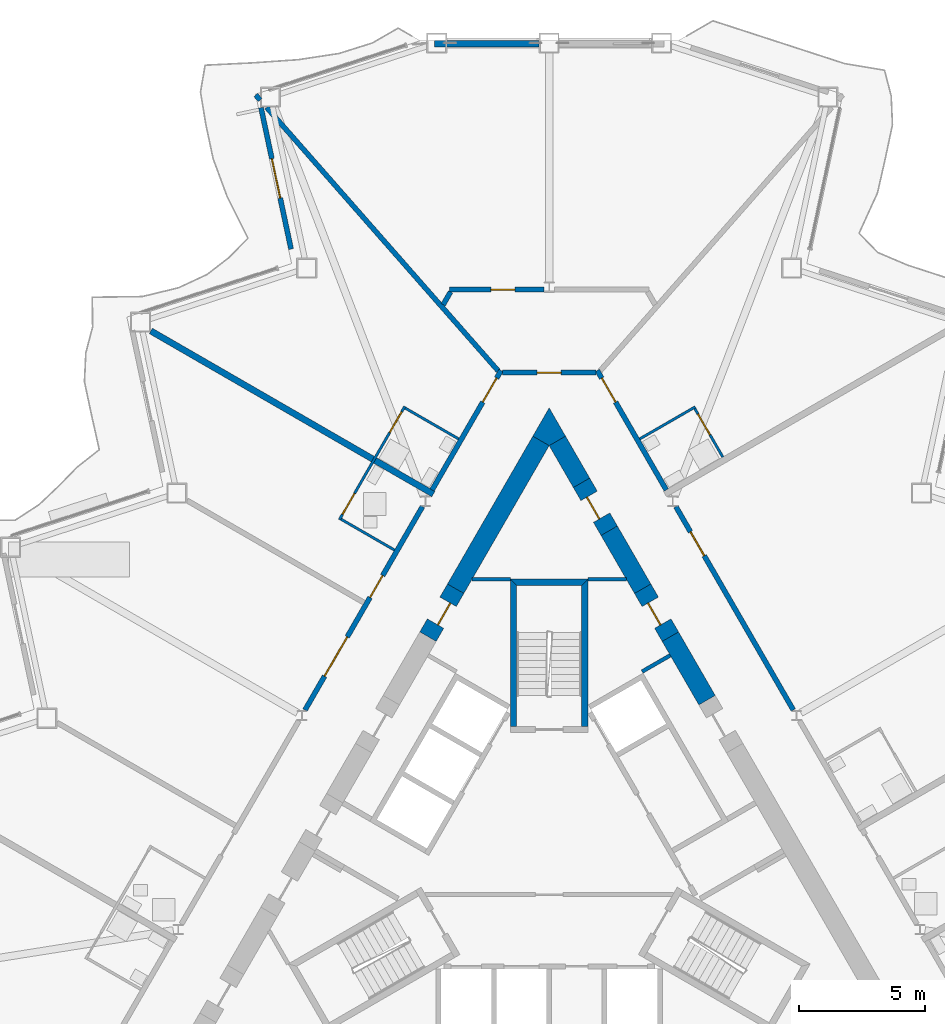
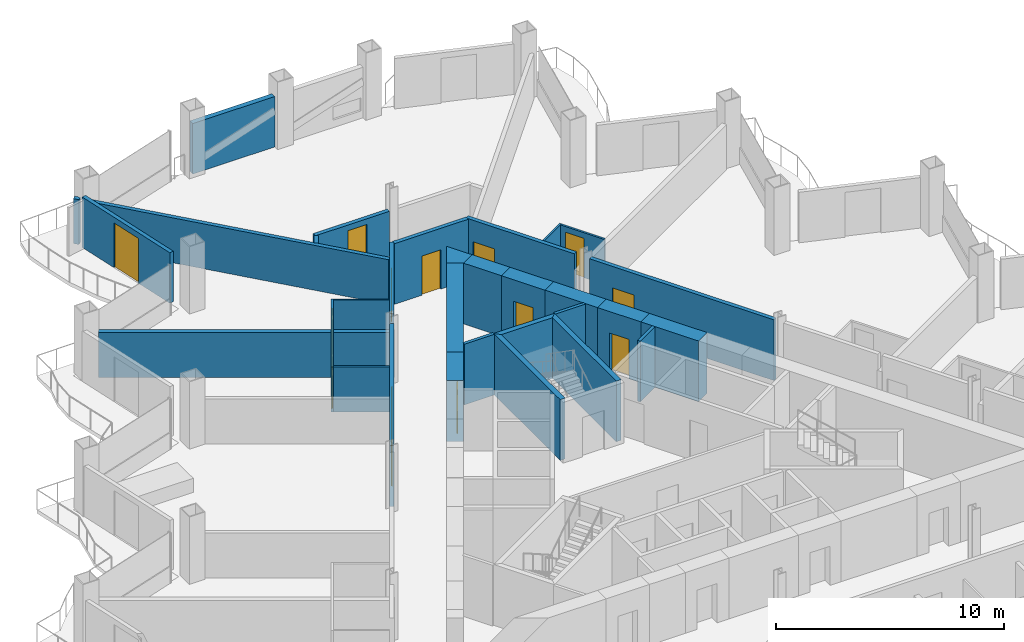
# One storey, part 14 of 23: 31 walls, 14 doors, 14 openings.
"""IFC4 building model written with IfcOpenShell, lengths in metres."""

from ifc_helpers import new_model, si_unit, direction, frame, frame_2d, origin, place, context, subcontext, project, spatial, polyline, rectangle, outline, extrude, material, layer, layer_set, type_object, element, fill, save


model = new_model("IFC4")

# Units and contexts
model_context = context("Model", 3, precision=1e-05, world=origin(), true_north=direction((0.0, 1.0)))
body_context = subcontext(model_context, "Body", "Model", "MODEL_VIEW")
ifc_project = project(units=[si_unit("LENGTHUNIT", "METRE"), si_unit("AREAUNIT", "SQUARE_METRE"), si_unit("VOLUMEUNIT", "CUBIC_METRE"), si_unit("PLANEANGLEUNIT", "RADIAN"), si_unit("MASSUNIT", "GRAM", prefix="KILO")], contexts=[model_context])

# Site, building, storey
site_placement = place(None, origin())
site = spatial("IfcSite", under=ifc_project, at=site_placement, CompositionType="ELEMENT")
building_placement = place(site_placement, origin())
building = spatial("IfcBuilding", under=site, at=building_placement, Name="Cormorant Prow Tower", CompositionType="ELEMENT")
storey_placement = place(building_placement, frame((0.0, 0.0, 172.800048828125)))
storey = spatial("IfcBuildingStorey", under=building, at=storey_placement, Name="L36", CompositionType="ELEMENT", Elevation=172.800048828125)

# Walls
ifc_material_1 = material(Name="Gypsum board partition")
ifc_layer_1 = layer(ifc_material_1, 0.14990234375)
ifc_layer_set_1 = layer_set([ifc_layer_1], Name="Gypsum board partition")
wall_type_1 = type_object("IfcWallType", Name="Core partition 150", PredefinedType="PARTITIONING", material=ifc_layer_set_1)
wall_1_placement = place(storey_placement, frame((3.693359375, 7.4150390625, 0.0), z_axis=(0.0, 0.0, 1.0), x_axis=(0.866003189247, 0.500038474733, 0.0)))
element("IfcWall", 1, at=wall_1_placement, inside=storey, type_object=wall_type_1, Name="Service room partition", PredefinedType="PARTITIONING", context=body_context, shape_type="SweptSolid", body=[
    extrude(rectangle(XDim=1.29296875, YDim=0.14990234375, at=frame_2d((0.646484375, 0.0))), origin(), (0.0, 0.0, 1.0), 3.25),
])
for number, where, z_axis, x_axis, name in (
    (2, (1.5439453125, 11.0869140625, 0.0), (0.0, 0.0, 1.0), (1.0, 0.0, 0.0), "Service room partition"),
    (3, (-1.5439453125, 11.0869140625, 0.0), (0.0, 0.0, 1.0), (-1.0, 0.0, 0.0), "Service room partition"),
):
    element("IfcWall", number, at=place(storey_placement, frame(where, z_axis=z_axis, x_axis=x_axis)), inside=storey, type_object=wall_type_1, Name=name, PredefinedType="PARTITIONING", context=body_context, shape_type="SweptSolid", body=[
        extrude(rectangle(XDim=1.5224609375, YDim=0.14990234375, at=frame_2d((0.76123046875, 0.0))), origin(), (0.0, 0.0, 1.0), 3.25),
    ])
ifc_material_2 = material(Name="Concrete 8000 psi", Category="concrete")
ifc_layer_2 = layer(ifc_material_2, 0.75)
ifc_layer_set_2 = layer_set([ifc_layer_2], Name="Concrete 8000 psi")
wall_type_2 = type_object("IfcWallType", Name="Core shear wall 750", PredefinedType="SHEAR", material=ifc_layer_set_2)
wall_2_placement = place(storey_placement, frame((6.275390625, 6.27880859375, 0.0), z_axis=(0.0, 0.0, 1.0), x_axis=(-0.500029273391, 0.866008502124, 0.0)))
element("IfcWall", 4, at=wall_2_placement, inside=storey, type_object=wall_type_2, Name="Core wall", PredefinedType="SHEAR", context=body_context, shape_type="SweptSolid", body=[
    extrude(rectangle(XDim=2.915771484375, YDim=0.75, at=frame_2d((1.4580078125, 0.0))), origin(), (0.0, 0.0, 1.0), 3.25),
])
wall_3_placement = place(storey_placement, frame((3.71728515625, 10.709228515625, 0.0), z_axis=(0.0, 0.0, 1.0), x_axis=(-0.500005599468, 0.866022170906, 0.0)))
element("IfcWall", 5, at=wall_3_placement, inside=storey, type_object=wall_type_2, Name="Core wall", PredefinedType="SHEAR", context=body_context, shape_type="SweptSolid", body=[
    extrude(rectangle(XDim=2.662109375, YDim=0.75, at=frame_2d((1.3310546875, 0.0))), origin(), (0.0, 0.0, 1.0), 3.25),
])
wall_4_placement = place(storey_placement, frame((1.286376953125, 14.919921875, 0.0), z_axis=(0.0, 0.0, 1.0), x_axis=(-0.500030129425, 0.866008007854, 0.0)))
element("IfcWall", 6, at=wall_4_placement, inside=storey, type_object=wall_type_2, Name="Core wall", PredefinedType="SHEAR", context=body_context, shape_type="SweptSolid", body=[
    extrude(rectangle(XDim=1.92333984375, YDim=0.75, at=frame_2d((0.961669921875, 0.0))), origin(), (0.0, 0.0, 1.0), 3.25),
])
wall_5_placement = place(storey_placement, frame((-0.32470703125, 16.58544921875, 0.0), z_axis=(0.0, 0.0, 1.0), x_axis=(-0.499993425452, -0.866029199568, 0.0)))
element("IfcWall", 7, at=wall_5_placement, inside=storey, type_object=wall_type_2, Name="Core wall", PredefinedType="SHEAR", context=body_context, shape_type="SweptSolid", body=[
    extrude(rectangle(XDim=6.78515625, YDim=0.75, at=frame_2d((3.392578125, 0.0))), origin(), (0.0, 0.0, 1.0), 3.25),
])
wall_6_placement = place(storey_placement, origin())
element("IfcWall", 8, at=wall_6_placement, inside=storey, type_object=wall_type_2, Name="Core wall corner", PredefinedType="SHEAR", context=body_context, shape_type="SweptSolid", body=[
    extrude(outline(polyline([(-0.6494140625, 16.77294921875), (0.0, 17.89794921875), (0.6494140625, 16.77294921875), (0.0, 16.39794921875), (-0.6494140625, 16.77294921875)])), origin(), (0.0, 0.0, 1.0), 3.25),
])

# Wall, opening, door
wall_7_placement = place(storey_placement, frame((2.38623046875, 13.0146484375, 0.0), z_axis=(0.0, 0.0, 1.0), x_axis=(-0.499946605688, 0.86605622881, 0.0)))
wall_7 = element("IfcWall", 9, at=wall_7_placement, inside=storey, type_object=wall_type_2, Name="Core wall door panel", PredefinedType="SHEAR", context=body_context, shape_type="SweptSolid", body=[
    extrude(rectangle(XDim=2.199951171875, YDim=0.75, at=frame_2d((1.10009765625, 0.0))), origin(), (0.0, 0.0, 1.0), 3.25),
])
opening_1_placement = place(wall_7_placement, frame((0.60009765625, 0.0, 0.0)))
opening_1 = element("IfcOpeningElement", 10, at=opening_1_placement, cuts=wall_7, Name="Opening L36-C20", PredefinedType="OPENING", context=body_context, shape_type="SweptSolid", body=[
    extrude(rectangle(XDim=1.0, YDim=2.10009765625, at=frame_2d((0.5, 1.050048828125))), frame((0.0, 0.385009765625, 0.0), z_axis=(0.0, -1.0, 0.0), x_axis=(1.0, 0.0, 0.0)), (0.0, 0.0, 1.0), 0.77001953125),
])
ifc_material_3 = material(Name="Painted steel", Category="steel")
door_type_1 = type_object("IfcDoorType", Name="Service door 1000x2100", OperationType="NOTDEFINED", PredefinedType="DOOR", material=ifc_material_3)
door_1_placement = place(opening_1_placement, origin())
door_1 = element("IfcDoor", 11, at=door_1_placement, inside=storey, type_object=door_type_1, Name="Core door, Mechanical riser room", OperationType="SINGLE_SWING_RIGHT", OverallHeight=2.10009765625, OverallWidth=1.0, PredefinedType="DOOR", context=body_context, shape_type="SweptSolid", body=[
    extrude(rectangle(XDim=1.0, YDim=2.10009765625, at=frame_2d((0.5, 1.050048828125))), frame((0.0, 0.1298828125, 0.0), z_axis=(0.0, -1.0, 0.0), x_axis=(1.0, 0.0, 0.0)), (0.0, 0.0, 1.0), 0.050048828125),
])
fill(opening_1, door_1)

wall_8_placement = place(storey_placement, frame((4.8173828125, 8.803955078125, 0.0), z_axis=(0.0, 0.0, 1.0), x_axis=(-0.50002983664, 0.866008176907, 0.0)))
wall_8 = element("IfcWall", 12, at=wall_8_placement, inside=storey, type_object=wall_type_2, Name="Core wall door panel", PredefinedType="SHEAR", context=body_context, shape_type="SweptSolid", body=[
    extrude(rectangle(XDim=2.199951171875, YDim=0.75, at=frame_2d((1.10009765625, 0.0))), origin(), (0.0, 0.0, 1.0), 3.25),
])
opening_2_placement = place(wall_8_placement, frame((0.60009765625, 0.0, 0.0)))
opening_2 = element("IfcOpeningElement", 13, at=opening_2_placement, cuts=wall_8, Name="Opening L36-C23", PredefinedType="OPENING", context=body_context, shape_type="SweptSolid", body=[
    extrude(rectangle(XDim=1.0, YDim=2.10009765625, at=frame_2d((0.5, 1.050048828125))), frame((0.0, 0.385009765625, 0.0), z_axis=(0.0, -1.0, 0.0), x_axis=(1.0, 0.0, 0.0)), (0.0, 0.0, 1.0), 0.77001953125),
])
door_2_placement = place(opening_2_placement, origin())
door_2 = element("IfcDoor", 14, at=door_2_placement, inside=storey, type_object=door_type_1, Name="Core door, Mechanical riser room", OperationType="SINGLE_SWING_RIGHT", OverallHeight=2.10009765625, OverallWidth=1.0, PredefinedType="DOOR", context=body_context, shape_type="SweptSolid", body=[
    extrude(rectangle(XDim=1.0, YDim=2.10009765625, at=frame_2d((0.5, 1.050048828125))), frame((0.0, 0.1298828125, 0.0), z_axis=(0.0, -1.0, 0.0), x_axis=(1.0, 0.0, 0.0)), (0.0, 0.0, 1.0), 0.050048828125),
])
fill(opening_2, door_2)

wall_9_placement = place(storey_placement, frame((-3.71728515625, 10.709228515625, 0.0), z_axis=(0.0, 0.0, 1.0), x_axis=(-0.50002983664, -0.866008176907, 0.0)))
wall_9 = element("IfcWall", 15, at=wall_9_placement, inside=storey, type_object=wall_type_2, Name="Core wall door panel", PredefinedType="SHEAR", context=body_context, shape_type="SweptSolid", body=[
    extrude(rectangle(XDim=2.199951171875, YDim=0.75, at=frame_2d((1.10009765625, 0.0))), origin(), (0.0, 0.0, 1.0), 3.25),
])
opening_3_placement = place(wall_9_placement, frame((0.60009765625, 0.0, 0.0)))
opening_3 = element("IfcOpeningElement", 16, at=opening_3_placement, cuts=wall_9, Name="Opening L36-C24", PredefinedType="OPENING", context=body_context, shape_type="SweptSolid", body=[
    extrude(rectangle(XDim=1.0, YDim=2.10009765625, at=frame_2d((0.5, 1.050048828125))), frame((0.0, 0.385009765625, 0.0), z_axis=(0.0, -1.0, 0.0), x_axis=(1.0, 0.0, 0.0)), (0.0, 0.0, 1.0), 0.77001953125),
])
door_3_placement = place(opening_3_placement, origin())
door_3 = element("IfcDoor", 17, at=door_3_placement, inside=storey, type_object=door_type_1, Name="Core door, Mechanical riser room", OperationType="SINGLE_SWING_LEFT", OverallHeight=2.10009765625, OverallWidth=1.0, PredefinedType="DOOR", context=body_context, shape_type="SweptSolid", body=[
    extrude(rectangle(XDim=1.0, YDim=2.10009765625, at=frame_2d((0.5, 1.050048828125))), frame((0.0, 0.1298828125, 0.0), z_axis=(0.0, -1.0, 0.0), x_axis=(1.0, 0.0, 0.0)), (0.0, 0.0, 1.0), 0.050048828125),
])
fill(opening_3, door_3)

ifc_material_4 = material(Name="Gypsum board corridor wall")
ifc_layer_3 = layer(ifc_material_4, 0.199951171875)
ifc_layer_set_3 = layer_set([ifc_layer_3], Name="Gypsum board corridor wall")
wall_type_3 = type_object("IfcWallType", Name="Corridor wall 200", PredefinedType="PARTITIONING", material=ifc_layer_set_3)
wall_10_placement = place(storey_placement, frame((5.03759765625, 13.972412109375, 0.0), z_axis=(0.0, 0.0, 1.0), x_axis=(0.50000393355, -0.866023132736, 0.0)))
wall_10 = element("IfcWall", 18, at=wall_10_placement, inside=storey, type_object=wall_type_3, Name="Corridor wall", PredefinedType="PARTITIONING", context=body_context, shape_type="SweptSolid", body=[
    extrude(rectangle(XDim=9.3349609375, YDim=0.199951171875, at=frame_2d((4.66748046875, 0.0))), origin(), (0.0, 0.0, 1.0), 3.25),
])
opening_4_placement = place(wall_10_placement, frame((1.154052734375, 0.0, 0.0)))
opening_4 = element("IfcOpeningElement", 19, at=opening_4_placement, cuts=wall_10, Name="Opening L36-F18", PredefinedType="OPENING", context=body_context, shape_type="SweptSolid", body=[
    extrude(rectangle(XDim=1.10009765625, YDim=2.10009765625, at=frame_2d((0.550048828125, 1.050048828125))), frame((0.0, 0.10986328125, 0.0), z_axis=(0.0, -1.0, 0.0), x_axis=(1.0, 0.0, 0.0)), (0.0, 0.0, 1.0), 0.219970703125),
])
ifc_material_5 = material(Name="Timber door leaf", Category="wood")
door_type_2 = type_object("IfcDoorType", Name="Suite entrance door 1100x2100", OperationType="NOTDEFINED", PredefinedType="DOOR", material=ifc_material_5)
door_4_placement = place(opening_4_placement, origin())
door_4 = element("IfcDoor", 20, at=door_4_placement, inside=storey, type_object=door_type_2, Name="Executive suite bedroom door", OperationType="SINGLE_SWING_RIGHT", OverallHeight=2.10009765625, OverallWidth=1.10009765625, PredefinedType="DOOR", context=body_context, shape_type="SweptSolid", body=[
    extrude(rectangle(XDim=1.10009765625, YDim=2.10009765625, at=frame_2d((0.550048828125, 1.050048828125))), frame((0.0, 0.02490234375, 0.0), z_axis=(0.0, -1.0, 0.0), x_axis=(1.0, 0.0, 0.0)), (0.0, 0.0, 1.0), 0.050048828125),
])
fill(opening_4, door_4)

# Wall, openings, doors
wall_11_placement = place(storey_placement, frame((-9.705078125, 5.88818359375, 0.0), z_axis=(0.0, 0.0, 1.0), x_axis=(0.50000393355, 0.866023132736, 0.0)))
wall_11 = element("IfcWall", 21, at=wall_11_placement, inside=storey, type_object=wall_type_3, Name="Corridor wall", PredefinedType="PARTITIONING", context=body_context, shape_type="SweptSolid", body=[
    extrude(rectangle(XDim=9.3349609375, YDim=0.199951171875, at=frame_2d((4.66748046875, 0.0))), origin(), (0.0, 0.0, 1.0), 3.25),
])
opening_5_placement = place(wall_11_placement, frame((5.171875, 0.0, 0.0)))
opening_5 = element("IfcOpeningElement", 22, at=opening_5_placement, cuts=wall_11, Name="Opening L36-F26", PredefinedType="OPENING", context=body_context, shape_type="SweptSolid", body=[
    extrude(rectangle(XDim=1.0, YDim=2.10009765625, at=frame_2d((0.5, 1.050048828125))), frame((0.0, 0.10986328125, 0.0), z_axis=(0.0, -1.0, 0.0), x_axis=(1.0, 0.0, 0.0)), (0.0, 0.0, 1.0), 0.219970703125),
])
opening_6_placement = place(wall_11_placement, frame((1.556396484375, 0.0, 0.0)))
opening_6 = element("IfcOpeningElement", 23, at=opening_6_placement, cuts=wall_11, Name="Opening L36-F28", PredefinedType="OPENING", context=body_context, shape_type="SweptSolid", body=[
    extrude(rectangle(XDim=1.800048828125, YDim=2.10009765625, at=frame_2d((0.89990234375, 1.050048828125))), frame((0.0, 0.10986328125, 0.0), z_axis=(0.0, -1.0, 0.0), x_axis=(1.0, 0.0, 0.0)), (0.0, 0.0, 1.0), 0.219970703125),
])
ifc_material_6 = material(Name="Timber door leaf", Category="wood")
door_type_3 = type_object("IfcDoorType", Name="Double door 1800x2100", OperationType="DOUBLE_DOOR_SINGLE_SWING", PredefinedType="DOOR", material=ifc_material_6)
door_5_placement = place(opening_6_placement, origin())
door_5 = element("IfcDoor", 24, at=door_5_placement, inside=storey, type_object=door_type_3, Name="Library door", OperationType="DOUBLE_DOOR_SINGLE_SWING", OverallHeight=2.10009765625, OverallWidth=1.800048828125, PredefinedType="DOOR", context=body_context, shape_type="SweptSolid", body=[
    extrude(rectangle(XDim=1.800048828125, YDim=2.10009765625, at=frame_2d((0.89990234375, 1.050048828125))), frame((0.0, 0.02490234375, 0.0), z_axis=(0.0, -1.0, 0.0), x_axis=(1.0, 0.0, 0.0)), (0.0, 0.0, 1.0), 0.050048828125),
])
fill(opening_6, door_5)
ifc_material_7 = material(Name="Timber door leaf", Category="wood")
door_type_4 = type_object("IfcDoorType", Name="Flat or room entrance door 1000x2100", OperationType="NOTDEFINED", PredefinedType="DOOR", material=ifc_material_7)
door_6_placement = place(opening_5_placement, origin())
door_6 = element("IfcDoor", 25, at=door_6_placement, inside=storey, type_object=door_type_4, Name="Guest room door", OperationType="SINGLE_SWING_LEFT", OverallHeight=2.10009765625, OverallWidth=1.0, PredefinedType="DOOR", context=body_context, shape_type="SweptSolid", body=[
    extrude(rectangle(XDim=1.0, YDim=2.10009765625, at=frame_2d((0.5, 1.050048828125))), frame((0.0, 0.02490234375, 0.0), z_axis=(0.0, -1.0, 0.0), x_axis=(1.0, 0.0, 0.0)), (0.0, 0.0, 1.0), 0.050048828125),
])
fill(opening_5, door_6)

# Wall, opening, door
wall_12_placement = place(storey_placement, frame((1.9130859375, 19.384521484375, 0.0), z_axis=(0.0, 0.0, 1.0), x_axis=(0.499988331988, -0.866032140209, 0.0)))
wall_12 = element("IfcWall", 26, at=wall_12_placement, inside=storey, type_object=wall_type_3, Name="Corridor wall", PredefinedType="PARTITIONING", context=body_context, shape_type="SweptSolid", body=[
    extrude(rectangle(XDim=5.484619140625, YDim=0.199951171875, at=frame_2d((2.7421875, 0.0))), origin(), (0.0, 0.0, 1.0), 3.25),
])
opening_7_placement = place(wall_12_placement, frame((0.352294921875, 0.0, 0.0)))
opening_7 = element("IfcOpeningElement", 27, at=opening_7_placement, cuts=wall_12, Name="Opening L36-F20", PredefinedType="OPENING", context=body_context, shape_type="SweptSolid", body=[
    extrude(rectangle(XDim=1.10009765625, YDim=2.10009765625, at=frame_2d((0.550048828125, 1.050048828125))), frame((0.0, 0.10986328125, 0.0), z_axis=(0.0, -1.0, 0.0), x_axis=(1.0, 0.0, 0.0)), (0.0, 0.0, 1.0), 0.219970703125),
])
door_7_placement = place(opening_7_placement, origin())
door_7 = element("IfcDoor", 28, at=door_7_placement, inside=storey, type_object=door_type_2, Name="Junior suite door", OperationType="SINGLE_SWING_LEFT", OverallHeight=2.10009765625, OverallWidth=1.10009765625, PredefinedType="DOOR", context=body_context, shape_type="SweptSolid", body=[
    extrude(rectangle(XDim=1.10009765625, YDim=2.10009765625, at=frame_2d((0.550048828125, 1.050048828125))), frame((0.0, 0.02490234375, 0.0), z_axis=(0.0, -1.0, 0.0), x_axis=(1.0, 0.0, 0.0)), (0.0, 0.0, 1.0), 0.050048828125),
])
fill(opening_7, door_7)

wall_13_placement = place(storey_placement, frame((-4.6552734375, 14.634765625, 0.0), z_axis=(0.0, 0.0, 1.0), x_axis=(0.499988331988, 0.866032140209, 0.0)))
wall_13 = element("IfcWall", 29, at=wall_13_placement, inside=storey, type_object=wall_type_3, Name="Corridor wall", PredefinedType="PARTITIONING", context=body_context, shape_type="SweptSolid", body=[
    extrude(rectangle(XDim=5.484619140625, YDim=0.199951171875, at=frame_2d((2.7421875, 0.0))), origin(), (0.0, 0.0, 1.0), 3.25),
])
opening_8_placement = place(wall_13_placement, frame((4.0322265625, 0.0, 0.0)))
opening_8 = element("IfcOpeningElement", 30, at=opening_8_placement, cuts=wall_13, Name="Opening L36-F24", PredefinedType="OPENING", context=body_context, shape_type="SweptSolid", body=[
    extrude(rectangle(XDim=1.10009765625, YDim=2.10009765625, at=frame_2d((0.550048828125, 1.050048828125))), frame((0.0, 0.10986328125, 0.0), z_axis=(0.0, -1.0, 0.0), x_axis=(1.0, 0.0, 0.0)), (0.0, 0.0, 1.0), 0.219970703125),
])
door_8_placement = place(opening_8_placement, origin())
door_8 = element("IfcDoor", 31, at=door_8_placement, inside=storey, type_object=door_type_2, Name="Junior suite door", OperationType="SINGLE_SWING_RIGHT", OverallHeight=2.10009765625, OverallWidth=1.10009765625, PredefinedType="DOOR", context=body_context, shape_type="SweptSolid", body=[
    extrude(rectangle(XDim=1.10009765625, YDim=2.10009765625, at=frame_2d((0.550048828125, 1.050048828125))), frame((0.0, 0.02490234375, 0.0), z_axis=(0.0, -1.0, 0.0), x_axis=(1.0, 0.0, 0.0)), (0.0, 0.0, 1.0), 0.050048828125),
])
fill(opening_8, door_8)

wall_14_placement = place(storey_placement, frame((-1.863037109375, 19.2978515625, 0.0), z_axis=(0.0, 0.0, 1.0), x_axis=(1.0, 0.0, 0.0)))
wall_14 = element("IfcWall", 32, at=wall_14_placement, inside=storey, type_object=wall_type_3, Name="Corridor wall", PredefinedType="PARTITIONING", context=body_context, shape_type="SweptSolid", body=[
    extrude(rectangle(XDim=3.72607421875, YDim=0.199951171875, at=frame_2d((1.863037109375, 0.0))), origin(), (0.0, 0.0, 1.0), 3.25),
])
opening_9_placement = place(wall_14_placement, frame((1.387939453125, 0.0, 0.0)))
opening_9 = element("IfcOpeningElement", 33, at=opening_9_placement, cuts=wall_14, Name="Opening L36-F22", PredefinedType="OPENING", context=body_context, shape_type="SweptSolid", body=[
    extrude(rectangle(XDim=0.949951171875, YDim=2.10009765625, at=frame_2d((0.47509765625, 1.050048828125))), frame((0.0, 0.10986328125, 0.0), z_axis=(0.0, -1.0, 0.0), x_axis=(1.0, 0.0, 0.0)), (0.0, 0.0, 1.0), 0.219970703125),
])
ifc_material_8 = material(Name="Timber door leaf", Category="wood")
door_type_5 = type_object("IfcDoorType", Name="Store door 950x2100", OperationType="NOTDEFINED", PredefinedType="DOOR", material=ifc_material_8)
door_9_placement = place(opening_9_placement, origin())
door_9 = element("IfcDoor", 34, at=door_9_placement, inside=storey, type_object=door_type_5, Name="Housekeeping room door", OperationType="SINGLE_SWING_LEFT", OverallHeight=2.10009765625, OverallWidth=0.949951171875, PredefinedType="DOOR", context=body_context, shape_type="SweptSolid", body=[
    extrude(rectangle(XDim=0.949951171875, YDim=2.10009765625, at=frame_2d((0.47509765625, 1.050048828125))), frame((0.0, 0.02490234375, 0.0), z_axis=(0.0, -1.0, 0.0), x_axis=(1.0, 0.0, 0.0)), (0.0, 0.0, 1.0), 0.050048828125),
])
fill(opening_9, door_9)

# Wall
ifc_material_9 = material(Name="Gypsum board demising wall")
ifc_layer_4 = layer(ifc_material_9, 0.199951171875)
ifc_layer_set_4 = layer_set([ifc_layer_4], Name="Gypsum board demising wall")
wall_type_4 = type_object("IfcWallType", Name="Demising wall 200", PredefinedType="PARTITIONING", material=ifc_layer_set_4)
wall_15_placement = place(storey_placement, frame((-11.23095703125, 29.841796875, 0.0), z_axis=(0.0, 0.0, 1.0), x_axis=(0.66019067586, -0.751098043871, 0.0)))
element("IfcWall", 35, at=wall_15_placement, inside=storey, type_object=wall_type_4, Name="Demising wall", PredefinedType="PARTITIONING", context=body_context, shape_type="SweptSolid", body=[
    extrude(rectangle(XDim=13.938232421875, YDim=0.199951171875, at=frame_2d((6.96923828125, 0.0))), origin(), (0.0, 0.0, 1.0), 2.404052734375),
])

# Wall, opening, door
wall_16_placement = place(storey_placement, frame((-3.96826171875, 22.597900390625, 0.0), z_axis=(0.0, 0.0, 1.0), x_axis=(1.0, 0.0, 0.0)))
wall_16 = element("IfcWall", 36, at=wall_16_placement, inside=storey, type_object=wall_type_4, Name="Demising wall", PredefinedType="PARTITIONING", context=body_context, shape_type="SweptSolid", body=[
    extrude(rectangle(XDim=3.754638671875, YDim=0.199951171875, at=frame_2d((1.87744140625, 0.0))), origin(), (0.0, 0.0, 1.0), 2.404052734375),
])
opening_10_placement = place(wall_16_placement, frame((1.65283203125, 0.0, 0.0)))
opening_10 = element("IfcOpeningElement", 37, at=opening_10_placement, cuts=wall_16, Name="Opening L36-F23", PredefinedType="OPENING", context=body_context, shape_type="SweptSolid", body=[
    extrude(rectangle(XDim=0.949951171875, YDim=2.10009765625, at=frame_2d((0.47509765625, 1.050048828125))), frame((0.0, 0.10986328125, 0.0), z_axis=(0.0, -1.0, 0.0), x_axis=(1.0, 0.0, 0.0)), (0.0, 0.0, 1.0), 0.219970703125),
])
door_10_placement = place(opening_10_placement, origin())
door_10 = element("IfcDoor", 38, at=door_10_placement, inside=storey, type_object=door_type_5, Name="Ice and vending room door", OperationType="SINGLE_SWING_LEFT", OverallHeight=2.10009765625, OverallWidth=0.949951171875, PredefinedType="DOOR", context=body_context, shape_type="SweptSolid", body=[
    extrude(rectangle(XDim=0.949951171875, YDim=2.10009765625, at=frame_2d((0.47509765625, 1.050048828125))), frame((0.0, 0.02490234375, 0.0), z_axis=(0.0, -1.0, 0.0), x_axis=(1.0, 0.0, 0.0)), (0.0, 0.0, 1.0), 0.050048828125),
])
fill(opening_10, door_10)

# Walls
wall_17_placement = place(storey_placement, frame((-4.212890625, 22.0009765625, 0.0), z_axis=(0.0, 0.0, 1.0), x_axis=(0.500105011351, 0.865964766963, 0.0)))
element("IfcWall", 39, at=wall_17_placement, inside=storey, type_object=wall_type_4, Name="Demising wall", PredefinedType="PARTITIONING", context=body_context, shape_type="SweptSolid", body=[
    extrude(rectangle(XDim=0.589111328125, YDim=0.199951171875, at=frame_2d((0.29443359375, 0.0))), origin(), (0.0, 0.0, 1.0), 2.404052734375),
])
wall_18_placement = place(storey_placement, frame((-11.6640625, 30.334716796875, 0.0), z_axis=(0.0, 0.0, 1.0), x_axis=(0.660272933047, -0.751025734503, 0.0)))
element("IfcWall", 40, at=wall_18_placement, inside=storey, type_object=wall_type_4, Name="Demising wall", PredefinedType="PARTITIONING", context=body_context, shape_type="SweptSolid", body=[
    extrude(rectangle(XDim=0.263671875, YDim=0.199951171875, at=frame_2d((0.1318359375, 0.0))), origin(), (0.0, 0.0, 1.0), 2.404052734375),
])

# Wall, openings, doors
ifc_material_10 = material(Name="Gypsum board partition")
ifc_layer_5 = layer(ifc_material_10, 0.10009765625)
ifc_layer_set_5 = layer_set([ifc_layer_5], Name="Gypsum board partition")
wall_type_5 = type_object("IfcWallType", Name="Internal partition 100", PredefinedType="PARTITIONING", material=ifc_layer_set_5)
wall_19_placement = place(storey_placement, frame((-8.33935546875, 13.45361328125, 0.0), z_axis=(0.0, 0.0, 1.0), x_axis=(0.499992051641, 0.866029992723, 0.0)))
wall_19 = element("IfcWall", 41, at=wall_19_placement, inside=storey, type_object=wall_type_5, Name="Internal partition", PredefinedType="PARTITIONING", context=body_context, shape_type="SweptSolid", body=[
    extrude(rectangle(XDim=5.19970703125, YDim=0.10009765625, at=frame_2d((2.599853515625, 0.0))), origin(), (0.0, 0.0, 1.0), 2.404052734375),
])
opening_11_placement = place(wall_19_placement, frame((4.0, 0.0, 0.0)))
opening_11 = element("IfcOpeningElement", 42, at=opening_11_placement, cuts=wall_19, Name="Opening L36-F25", PredefinedType="OPENING", context=body_context, shape_type="SweptSolid", body=[
    extrude(rectangle(XDim=0.949951171875, YDim=2.10009765625, at=frame_2d((0.47509765625, 1.050048828125))), frame((0.0, 0.06005859375, 0.0), z_axis=(0.0, -1.0, 0.0), x_axis=(1.0, 0.0, 0.0)), (0.0, 0.0, 1.0), 0.1201171875),
])
opening_12_placement = place(wall_19_placement, frame((0.25, 0.0, 0.0)))
opening_12 = element("IfcOpeningElement", 43, at=opening_12_placement, cuts=wall_19, Name="Opening L36-F27", PredefinedType="OPENING", context=body_context, shape_type="SweptSolid", body=[
    extrude(rectangle(XDim=0.949951171875, YDim=2.10009765625, at=frame_2d((0.47509765625, 1.050048828125))), frame((0.0, 0.06005859375, 0.0), z_axis=(0.0, -1.0, 0.0), x_axis=(1.0, 0.0, 0.0)), (0.0, 0.0, 1.0), 0.1201171875),
])
ifc_material_11 = material(Name="Timber door leaf", Category="wood")
door_type_6 = type_object("IfcDoorType", Name="Bathroom door 950x2100", OperationType="NOTDEFINED", PredefinedType="DOOR", material=ifc_material_11)
door_11_placement = place(opening_11_placement, origin())
door_11 = element("IfcDoor", 44, at=door_11_placement, inside=storey, type_object=door_type_6, Name="Junior suite door", OperationType="SINGLE_SWING_RIGHT", OverallHeight=2.10009765625, OverallWidth=0.949951171875, PredefinedType="DOOR", context=body_context, shape_type="SweptSolid", body=[
    extrude(rectangle(XDim=0.949951171875, YDim=2.10009765625, at=frame_2d((0.47509765625, 1.050048828125))), frame((0.0, 0.02490234375, 0.0), z_axis=(0.0, -1.0, 0.0), x_axis=(1.0, 0.0, 0.0)), (0.0, 0.0, 1.0), 0.050048828125),
])
fill(opening_11, door_11)
door_12_placement = place(opening_12_placement, origin())
door_12 = element("IfcDoor", 45, at=door_12_placement, inside=storey, type_object=door_type_6, Name="Guest room door", OperationType="SINGLE_SWING_LEFT", OverallHeight=2.10009765625, OverallWidth=0.949951171875, PredefinedType="DOOR", context=body_context, shape_type="SweptSolid", body=[
    extrude(rectangle(XDim=0.949951171875, YDim=2.10009765625, at=frame_2d((0.47509765625, 1.050048828125))), frame((0.0, 0.02490234375, 0.0), z_axis=(0.0, -1.0, 0.0), x_axis=(1.0, 0.0, 0.0)), (0.0, 0.0, 1.0), 0.050048828125),
])
fill(opening_12, door_12)

# Walls
wall_20_placement = place(storey_placement, frame((-8.27099609375, 13.471923828125, 0.0), z_axis=(0.0, 0.0, 1.0), x_axis=(0.865989751695, -0.500061746146, 0.0)))
element("IfcWall", 46, at=wall_20_placement, inside=storey, type_object=wall_type_5, Name="Internal partition", PredefinedType="PARTITIONING", context=body_context, shape_type="SweptSolid", body=[
    extrude(rectangle(XDim=2.449951171875, YDim=0.10009765625, at=frame_2d((1.22509765625, 0.0))), origin(), (0.0, 0.0, 1.0), 2.404052734375),
])
wall_21_placement = place(storey_placement, frame((3.599365234375, 16.66357421875, 0.0), z_axis=(0.0, 0.0, 1.0), x_axis=(0.865989465428, 0.500062241894, 0.0)))
element("IfcWall", 47, at=wall_21_placement, inside=storey, type_object=wall_type_5, Name="Internal partition", PredefinedType="PARTITIONING", context=body_context, shape_type="SweptSolid", body=[
    extrude(rectangle(XDim=2.550048828125, YDim=0.10009765625, at=frame_2d((1.27490234375, 0.0))), origin(), (0.0, 0.0, 1.0), 2.404052734375),
])
wall_22_placement = place(storey_placement, frame((-5.72119140625, 17.888671875, 0.0), z_axis=(0.0, 0.0, 1.0), x_axis=(0.866014668023, -0.500018594424, 0.0)))
element("IfcWall", 48, at=wall_22_placement, inside=storey, type_object=wall_type_5, Name="Internal partition", PredefinedType="PARTITIONING", context=body_context, shape_type="SweptSolid", body=[
    extrude(rectangle(XDim=2.4501953125, YDim=0.10009765625, at=frame_2d((1.22509765625, 0.0))), origin(), (0.0, 0.0, 1.0), 2.404052734375),
])

# Wall, opening, door
wall_23_placement = place(storey_placement, frame((5.789306640625, 17.870361328125, 0.0), z_axis=(0.0, 0.0, 1.0), x_axis=(0.49999788721, -0.866026623601, 0.0)))
wall_23 = element("IfcWall", 49, at=wall_23_placement, inside=storey, type_object=wall_type_5, Name="Internal partition", PredefinedType="PARTITIONING", context=body_context, shape_type="SweptSolid", body=[
    extrude(rectangle(XDim=2.22509765625, YDim=0.10009765625, at=frame_2d((1.112548828125, 0.0))), origin(), (0.0, 0.0, 1.0), 2.404052734375),
])
opening_13_placement = place(wall_23_placement, frame((0.25, 0.0, 0.0)))
opening_13 = element("IfcOpeningElement", 50, at=opening_13_placement, cuts=wall_23, Name="Opening L36-F21", PredefinedType="OPENING", context=body_context, shape_type="SweptSolid", body=[
    extrude(rectangle(XDim=0.949951171875, YDim=2.10009765625, at=frame_2d((0.47509765625, 1.050048828125))), frame((0.0, 0.06005859375, 0.0), z_axis=(0.0, -1.0, 0.0), x_axis=(1.0, 0.0, 0.0)), (0.0, 0.0, 1.0), 0.1201171875),
])
door_13_placement = place(opening_13_placement, origin())
door_13 = element("IfcDoor", 51, at=door_13_placement, inside=storey, type_object=door_type_6, Name="Junior suite door", OperationType="SINGLE_SWING_LEFT", OverallHeight=2.10009765625, OverallWidth=0.949951171875, PredefinedType="DOOR", context=body_context, shape_type="SweptSolid", body=[
    extrude(rectangle(XDim=0.949951171875, YDim=2.10009765625, at=frame_2d((0.47509765625, 1.050048828125))), frame((0.0, 0.02490234375, 0.0), z_axis=(0.0, -1.0, 0.0), x_axis=(1.0, 0.0, 0.0)), (0.0, 0.0, 1.0), 0.050048828125),
])
fill(opening_13, door_13)

# Walls
ifc_material_12 = material(Name="Concrete 8000 psi", Category="concrete")
ifc_layer_6 = layer(ifc_material_12, 0.25)
ifc_layer_set_6 = layer_set([ifc_layer_6], Name="Concrete 8000 psi")
wall_type_6 = type_object("IfcWallType", Name="Stair wall 250", PredefinedType="SHEAR", material=ifc_layer_set_6)
wall_24_placement = place(storey_placement, origin())
element("IfcWall", 52, at=wall_24_placement, inside=storey, type_object=wall_type_6, Name="Stair ST3 enclosure wall (flank)", PredefinedType="SHEAR", context=body_context, shape_type="SweptSolid", body=[
    extrude(outline(polyline([(1.5439453125, 5.23681640625), (1.5439453125, 11.0869140625), (1.2939453125, 10.8369140625), (1.2939453125, 5.23681640625), (1.5439453125, 5.23681640625)])), origin(), (0.0, 0.0, 1.0), 3.25),
])
wall_25_placement = place(storey_placement, origin())
element("IfcWall", 53, at=wall_25_placement, inside=storey, type_object=wall_type_6, Name="Stair ST3 enclosure wall (end)", PredefinedType="SHEAR", context=body_context, shape_type="SweptSolid", body=[
    extrude(outline(polyline([(1.5439453125, 11.0869140625), (-1.5439453125, 11.0869140625), (-1.2939453125, 10.8369140625), (1.2939453125, 10.8369140625), (1.5439453125, 11.0869140625)])), origin(), (0.0, 0.0, 1.0), 3.25),
])
wall_26_placement = place(storey_placement, origin())
element("IfcWall", 54, at=wall_26_placement, inside=storey, type_object=wall_type_6, Name="Stair ST3 enclosure wall (flank)", PredefinedType="SHEAR", context=body_context, shape_type="SweptSolid", body=[
    extrude(outline(polyline([(-1.2939453125, 10.8369140625), (-1.5439453125, 11.0869140625), (-1.5439453125, 5.23681640625), (-1.2939453125, 5.23681640625), (-1.2939453125, 10.8369140625)])), origin(), (0.0, 0.0, 1.0), 3.25),
])
ifc_material_13 = material(Name="Acoustic gypsum party wall")
ifc_layer_7 = layer(ifc_material_13, 0.25)
ifc_layer_set_7 = layer_set([ifc_layer_7], Name="Acoustic gypsum party wall")
wall_type_7 = type_object("IfcWallType", Name="Suite party wall 250", PredefinedType="PARTITIONING", material=ifc_layer_set_7)
wall_27_placement = place(storey_placement, frame((-15.834716796875, 20.956298828125, 0.0), z_axis=(0.0, 0.0, 1.0), x_axis=(0.866029765546, -0.499992445131, 0.0)))
element("IfcWall", 55, at=wall_27_placement, inside=storey, type_object=wall_type_7, Name="Suite party wall", PredefinedType="PARTITIONING", context=body_context, shape_type="SweptSolid", body=[
    extrude(rectangle(XDim=12.967529296875, YDim=0.25, at=frame_2d((6.48388671875, 0.0))), origin(), (0.0, 0.0, 1.0), 2.404052734375),
])
ifc_material_14 = material(Name="Terracotta", Category="masonry")
ifc_layer_8 = layer(ifc_material_14, 0.25)
ifc_layer_set_8 = layer_set([ifc_layer_8], Name="Terracotta")
wall_type_8 = type_object("IfcWallType", Name="Terracotta bay wall 250", PredefinedType="SOLIDWALL", material=ifc_layer_set_8)
wall_28_placement = place(storey_placement, frame((-0.39990234375, 32.368896484375, 0.0), z_axis=(0.0, 0.0, 1.0), x_axis=(-1.0, 0.0, 0.0)))
element("IfcWall", 56, at=wall_28_placement, inside=storey, type_object=wall_type_8, Name="Terracotta bay wall N01", PredefinedType="SOLIDWALL", context=body_context, shape_type="SweptSolid", body=[
    extrude(rectangle(XDim=4.156005859375, YDim=0.25, at=frame_2d((2.078125, 0.0))), origin(), (0.0, 0.0, 1.0), 2.700927734375),
])

# Wall, opening, door
ifc_material_15 = material(Name="Terracotta", Category="masonry")
ifc_layer_9 = layer(ifc_material_15, 0.199951171875)
ifc_layer_set_9 = layer_set([ifc_layer_9], Name="Terracotta")
wall_type_9 = type_object("IfcWallType", Name="Terracotta jamb wall 200", PredefinedType="SOLIDWALL", material=ifc_layer_set_9)
wall_29_placement = place(storey_placement, frame((-11.455078125, 29.831787109375, 0.0), z_axis=(0.0, 0.0, 1.0), x_axis=(0.207913110781, -0.97814729891, 0.0)))
wall_29 = element("IfcWall", 57, at=wall_29_placement, inside=storey, type_object=wall_type_9, Name="Terracotta jamb wall WNW01", PredefinedType="SOLIDWALL", context=body_context, shape_type="SweptSolid", body=[
    extrude(rectangle(XDim=5.747802734375, YDim=0.199951171875, at=frame_2d((2.8740234375, 0.0))), origin(), (0.0, 0.0, 1.0), 2.700927734375),
])
opening_14_placement = place(wall_29_placement, frame((2.073974609375, 0.0, 0.0)))
opening_14 = element("IfcOpeningElement", 58, at=opening_14_placement, cuts=wall_29, Name="Opening ED36.11", PredefinedType="OPENING", context=body_context, shape_type="SweptSolid", body=[
    extrude(rectangle(XDim=1.60009765625, YDim=2.39990234375, at=frame_2d((0.800048828125, 1.199951171875))), frame((0.0, 0.10986328125, 0.0), z_axis=(0.0, -1.0, 0.0), x_axis=(1.0, 0.0, 0.0)), (0.0, 0.0, 1.0), 0.219970703125),
])
ifc_material_16 = material(Name="Aluminium 6063-T6", Category="aluminium")
door_type_7 = type_object("IfcDoorType", Name="Balcony door 1600x2400", OperationType="DOUBLE_DOOR_SINGLE_SWING", PredefinedType="DOOR", material=ifc_material_16)
door_14_placement = place(opening_14_placement, origin())
door_14 = element("IfcDoor", 59, at=door_14_placement, inside=storey, type_object=door_type_7, Name="Balcony door WNW01 ED36.11", OperationType="DOUBLE_DOOR_SINGLE_SWING", OverallHeight=2.39990234375, OverallWidth=1.60009765625, PredefinedType="DOOR", context=body_context, shape_type="SweptSolid", body=[
    extrude(rectangle(XDim=1.60009765625, YDim=2.39990234375, at=frame_2d((0.800048828125, 1.199951171875))), frame((0.0, 0.02490234375, 0.0), z_axis=(0.0, -1.0, 0.0), x_axis=(1.0, 0.0, 0.0)), (0.0, 0.0, 1.0), 0.050048828125),
])
fill(opening_14, door_14)

save(model, "model.ifc")
